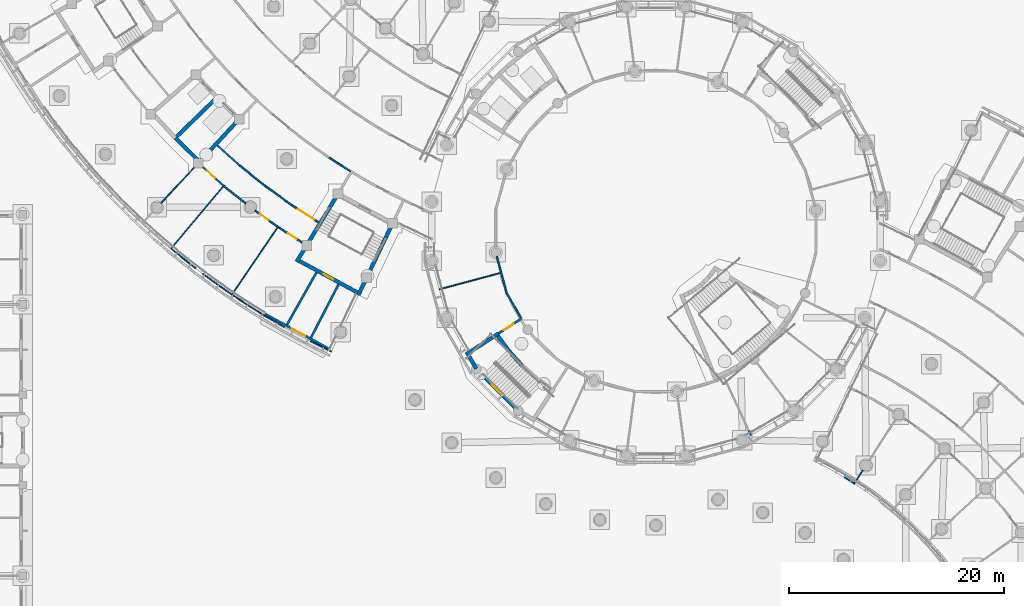
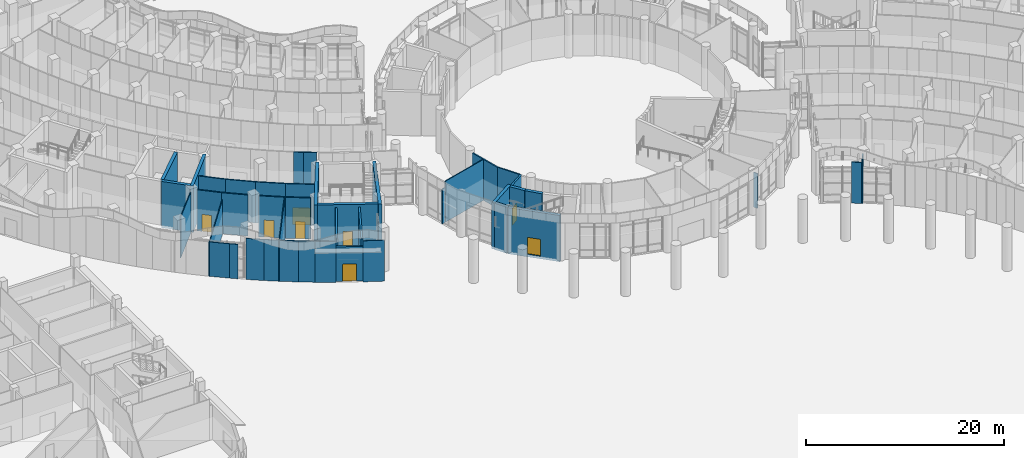
# One storey, part 60 of 146: 43 walls, 8 doors, 8 openings.
"""IFC4 building model written with IfcOpenShell, lengths in metres."""

from ifc_helpers import new_model, si_unit, direction, frame, frame_2d, origin, place, context, subcontext, project, spatial, rectangle, extrude, material, layer, layer_set, type_object, element, fill, save


model = new_model("IFC4")

# Units and contexts
model_context = context("Model", 3, precision=1e-05, world=origin(), true_north=direction((0.0, 1.0)))
body_context = subcontext(model_context, "Body", "Model", "MODEL_VIEW")
ifc_project = project(units=[si_unit("LENGTHUNIT", "METRE"), si_unit("AREAUNIT", "SQUARE_METRE"), si_unit("VOLUMEUNIT", "CUBIC_METRE"), si_unit("PLANEANGLEUNIT", "RADIAN"), si_unit("MASSUNIT", "GRAM", prefix="KILO")], contexts=[model_context])

# Site, building, storey
site_placement = place(None, origin())
site = spatial("IfcSite", under=ifc_project, at=site_placement, CompositionType="ELEMENT")
building_placement = place(site_placement, origin())
building = spatial("IfcBuilding", under=site, at=building_placement, Name="Bougainvillea Quay General Hospital", CompositionType="ELEMENT")
storey_placement = place(building_placement, origin())
storey = spatial("IfcBuildingStorey", under=building, at=storey_placement, Name="L00", CompositionType="ELEMENT", Elevation=0.0)

# Wall, opening, door
ifc_material_1 = material(Name="Insulated aluminium panel cladding, anodised silver", Category="aluminium")
ifc_layer_1 = layer(ifc_material_1, 0.199951171875)
ifc_layer_set_1 = layer_set([ifc_layer_1], Name="Insulated aluminium panel cladding, anodised silver")
wall_type_1 = type_object("IfcWallType", Name="Entrance portal wall 200", PredefinedType="STANDARD", material=ifc_layer_set_1)
wall_1_placement = place(storey_placement, frame((78.818115234375, 63.10400390625, 0.0), z_axis=(0.0, 0.0, 1.0), x_axis=(-0.878478295557, 0.47778225609, 0.0)))
wall_1 = element("IfcWall", 1, at=wall_1_placement, inside=storey, type_object=wall_type_1, Name="External wall wall/V6/L00/p0g1b0/00a", PredefinedType="STANDARD", context=body_context, shape_type="SweptSolid", body=[
    extrude(rectangle(XDim=6.7333984375, YDim=0.199951171875, at=frame_2d((3.36669921875, 0.0))), origin(), (0.0, 0.0, 1.0), 4.25),
])
opening_1_placement = place(wall_1_placement, frame((2.49609375, 0.0, 0.0)))
opening_1 = element("IfcOpeningElement", 2, at=opening_1_placement, cuts=wall_1, Name="Opening L00.347", PredefinedType="OPENING", context=body_context, shape_type="SweptSolid", body=[
    extrude(rectangle(XDim=1.39990234375, YDim=2.10009765625, at=frame_2d((0.699951171875, 1.050048828125))), frame((0.0, 0.10986328125, 0.0), z_axis=(0.0, -1.0, 0.0), x_axis=(1.0, 0.0, 0.0)), (0.0, 0.0, 1.0), 0.219970703125),
])
ifc_material_2 = material(Name="Steel door leaf, painted, with vision panel", Category="steel")
door_type_1 = type_object("IfcDoorType", Name="Stair discharge door 1400x2100", OperationType="SINGLE_SWING_LEFT", PredefinedType="DOOR", material=ifc_material_2)
door_1_placement = place(opening_1_placement, origin())
door_1 = element("IfcDoor", 3, at=door_1_placement, inside=storey, type_object=door_type_1, Name="Stair discharge door ST-W1", OperationType="SINGLE_SWING_LEFT", OverallHeight=2.10009765625, OverallWidth=1.39990234375, PredefinedType="DOOR", context=body_context, shape_type="SweptSolid", body=[
    extrude(rectangle(XDim=1.39990234375, YDim=2.10009765625, at=frame_2d((0.699951171875, 1.050048828125))), frame((0.0, 0.02490234375, 0.0), z_axis=(0.0, -1.0, 0.0), x_axis=(1.0, 0.0, 0.0)), (0.0, 0.0, 1.0), 0.050048828125),
])
fill(opening_1, door_1)

# Walls
ifc_material_3 = material(Name="Gypsum board partition on steel studs", Category="steel")
ifc_layer_2 = layer(ifc_material_3, 0.10009765625)
ifc_layer_set_2 = layer_set([ifc_layer_2], Name="Gypsum board partition on steel studs")
wall_type_2 = type_object("IfcWallType", Name="Partition 100 Gypsum board partition", PredefinedType="PARTITIONING", material=ifc_layer_set_2)
wall_2_placement = place(storey_placement, frame((117.839599609375, 55.471923828125, 0.0), z_axis=(0.0, 0.0, 1.0), x_axis=(0.422386547232, -0.906415801229, 0.0)))
element("IfcWall", 4, at=wall_2_placement, inside=storey, type_object=wall_type_2, Name="Partition 100 mm", PredefinedType="PARTITIONING", context=body_context, shape_type="SweptSolid", body=[
    extrude(rectangle(XDim=0.45556640625, YDim=0.10009765625, at=frame_2d((0.227783203125, 0.0))), origin(), (0.0, 0.0, 1.0), 4.280029296875),
])
wall_3_placement = place(storey_placement, frame((89.090087890625, 68.611083984375, 0.0), z_axis=(0.0, 0.0, 1.0), x_axis=(0.966018295609, 0.258473697982, 0.0)))
element("IfcWall", 5, at=wall_3_placement, inside=storey, type_object=wall_type_2, Name="Partition 100 mm", PredefinedType="PARTITIONING", context=body_context, shape_type="SweptSolid", body=[
    extrude(rectangle(XDim=0.44970703125, YDim=0.10009765625, at=frame_2d((0.224853515625, 0.0))), origin(), (0.0, 0.0, 1.0), 4.280029296875),
])
wall_4_placement = place(storey_placement, frame((89.5244140625, 68.727294921875, 0.0), z_axis=(0.0, 0.0, 1.0), x_axis=(0.965884896142, 0.258971750206, 0.0)))
element("IfcWall", 6, at=wall_4_placement, inside=storey, type_object=wall_type_2, Name="Partition 100 mm", PredefinedType="PARTITIONING", context=body_context, shape_type="SweptSolid", body=[
    extrude(rectangle(XDim=5.419677734375, YDim=0.10009765625, at=frame_2d((2.7099609375, 0.0))), origin(), (0.0, 0.0, 1.0), 5.050048828125),
])
ifc_layer_3 = layer(ifc_material_3, 0.10009765625)
ifc_layer_set_3 = layer_set([ifc_layer_3], Name="Gypsum board partition on steel studs")
wall_type_3 = type_object("IfcWallType", Name="Partition 100 Gypsum board partition EI 30", PredefinedType="PARTITIONING", material=ifc_layer_set_3)
wall_5_placement = place(storey_placement, frame((63.244140625, 76.607421875, 0.0), z_axis=(0.0, 0.0, 1.0), x_axis=(0.681263193371, 0.732038565485, 0.0)))
element("IfcWall", 7, at=wall_5_placement, inside=storey, type_object=wall_type_3, Name="Partition 100 mm EI 30", PredefinedType="PARTITIONING", context=body_context, shape_type="SweptSolid", body=[
    extrude(rectangle(XDim=4.529296875, YDim=0.10009765625, at=frame_2d((2.2646484375, 0.0))), origin(), (0.0, 0.0, 1.0), 5.050048828125),
])
wall_6_placement = place(storey_placement, frame((127.596923828125, 50.532958984375, 0.0), z_axis=(0.0, 0.0, 1.0), x_axis=(0.541741092646, 0.840545411348, 0.0)))
element("IfcWall", 8, at=wall_6_placement, inside=storey, type_object=wall_type_3, Name="Partition 100 mm EI 30", PredefinedType="PARTITIONING", context=body_context, shape_type="SweptSolid", body=[
    extrude(rectangle(XDim=1.542724609375, YDim=0.10009765625, at=frame_2d((0.771484375, 0.0))), origin(), (0.0, 0.0, 1.0), 5.050048828125),
])
wall_7_placement = place(storey_placement, frame((69.809814453125, 68.07861328125, 0.0), z_axis=(0.0, 0.0, 1.0), x_axis=(0.562401761837, 0.826864111135, 0.0)))
element("IfcWall", 9, at=wall_7_placement, inside=storey, type_object=wall_type_3, Name="Partition 100 mm EI 30", PredefinedType="PARTITIONING", context=body_context, shape_type="SweptSolid", body=[
    extrude(rectangle(XDim=7.56982421875, YDim=0.10009765625, at=frame_2d((3.784912109375, 0.0))), origin(), (0.0, 0.0, 1.0), 5.050048828125),
])
wall_8_placement = place(storey_placement, frame((64.147705078125, 72.36572265625, 0.0), z_axis=(0.0, 0.0, 1.0), x_axis=(0.64315880068, 0.76573282358, 0.0)))
element("IfcWall", 10, at=wall_8_placement, inside=storey, type_object=wall_type_3, Name="Partition 100 mm EI 30", PredefinedType="PARTITIONING", context=body_context, shape_type="SweptSolid", body=[
    extrude(rectangle(XDim=7.56884765625, YDim=0.10009765625, at=frame_2d((3.784423828125, 0.0))), origin(), (0.0, 0.0, 1.0), 4.22998046875),
])
wall_9_placement = place(storey_placement, frame((77.117919921875, 63.79150390625, 0.0), z_axis=(0.0, 0.0, 1.0), x_axis=(0.894539387074, -0.446989132947, 0.0)))
element("IfcWall", 11, at=wall_9_placement, inside=storey, type_object=wall_type_3, Name="Partition 100 mm EI 30", PredefinedType="PARTITIONING", context=body_context, shape_type="SweptSolid", body=[
    extrude(rectangle(XDim=2.175537109375, YDim=0.10009765625, at=frame_2d((1.087890625, 0.0))), origin(), (0.0, 0.0, 1.0), 5.050048828125),
])
wall_10_placement = place(storey_placement, frame((72.868896484375, 66.167236328125, 0.0), z_axis=(0.0, 0.0, 1.0), x_axis=(0.863833238718, -0.503777863434, 0.0)))
element("IfcWall", 12, at=wall_10_placement, inside=storey, type_object=wall_type_3, Name="Partition 100 mm EI 30", PredefinedType="PARTITIONING", context=body_context, shape_type="SweptSolid", body=[
    extrude(rectangle(XDim=2.1181640625, YDim=0.10009765625, at=frame_2d((1.05908203125, 0.0))), origin(), (0.0, 0.0, 1.0), 5.050048828125),
])
wall_11_placement = place(storey_placement, frame((64.21923828125, 72.371826171875, 0.0), z_axis=(0.0, 0.0, 1.0), x_axis=(0.774189909743, -0.632953381895, 0.0)))
element("IfcWall", 13, at=wall_11_placement, inside=storey, type_object=wall_type_3, Name="Partition 100 mm EI 30", PredefinedType="PARTITIONING", context=body_context, shape_type="SweptSolid", body=[
    extrude(rectangle(XDim=2.01025390625, YDim=0.10009765625, at=frame_2d((1.005126953125, 0.0))), origin(), (0.0, 0.0, 1.0), 4.22998046875),
])
wall_12_placement = place(storey_placement, frame((69.880126953125, 68.092041015625, 0.0), z_axis=(0.0, 0.0, 1.0), x_axis=(0.833740627747, -0.552156287336, 0.0)))
element("IfcWall", 14, at=wall_12_placement, inside=storey, type_object=wall_type_3, Name="Partition 100 mm EI 30", PredefinedType="PARTITIONING", context=body_context, shape_type="SweptSolid", body=[
    extrude(rectangle(XDim=1.906494140625, YDim=0.10009765625, at=frame_2d((0.953125, 0.0))), origin(), (0.0, 0.0, 1.0), 5.050048828125),
])
wall_13_placement = place(storey_placement, frame((67.12109375, 70.06201171875, 0.0), z_axis=(0.0, 0.0, 1.0), x_axis=(0.806530077536, -0.591193059863, 0.0)))
element("IfcWall", 15, at=wall_13_placement, inside=storey, type_object=wall_type_3, Name="Partition 100 mm EI 30", PredefinedType="PARTITIONING", context=body_context, shape_type="SweptSolid", body=[
    extrude(rectangle(XDim=1.79931640625, YDim=0.10009765625, at=frame_2d((0.899658203125, 0.0))), origin(), (0.0, 0.0, 1.0), 5.050048828125),
])
wall_14_placement = place(storey_placement, frame((71.46923828125, 67.041259765625, 0.0), z_axis=(0.0, 0.0, 1.0), x_axis=(0.848670313299, -0.528922205362, 0.0)))
element("IfcWall", 16, at=wall_14_placement, inside=storey, type_object=wall_type_3, Name="Partition 100 mm EI 30", PredefinedType="PARTITIONING", context=body_context, shape_type="SweptSolid", body=[
    extrude(rectangle(XDim=1.651611328125, YDim=0.10009765625, at=frame_2d((0.82568359375, 0.0))), origin(), (0.0, 0.0, 1.0), 5.050048828125),
])
wall_15_placement = place(storey_placement, frame((68.572021484375, 69.0, 0.0), z_axis=(0.0, 0.0, 1.0), x_axis=(0.821035318981, -0.57087739926, 0.0)))
element("IfcWall", 17, at=wall_15_placement, inside=storey, type_object=wall_type_3, Name="Partition 100 mm EI 30", PredefinedType="PARTITIONING", context=body_context, shape_type="SweptSolid", body=[
    extrude(rectangle(XDim=1.4912109375, YDim=0.10009765625, at=frame_2d((0.74560546875, 0.0))), origin(), (0.0, 0.0, 1.0), 5.050048828125),
])
wall_16_placement = place(storey_placement, frame((126.702880859375, 51.14892578125, 0.0), z_axis=(0.0, 0.0, 1.0), x_axis=(0.848687049906, -0.528895350067, 0.0)))
element("IfcWall", 18, at=wall_16_placement, inside=storey, type_object=wall_type_3, Name="Partition 100 mm EI 30", PredefinedType="PARTITIONING", context=body_context, shape_type="SweptSolid", body=[
    extrude(rectangle(XDim=1.034423828125, YDim=0.10009765625, at=frame_2d((0.51708984375, 0.0))), origin(), (0.0, 0.0, 1.0), 5.050048828125),
])
wall_17_placement = place(storey_placement, frame((65.775390625, 71.10107421875, 0.0), z_axis=(0.0, 0.0, 1.0), x_axis=(0.78975449487, -0.613423049643, 0.0)))
element("IfcWall", 19, at=wall_17_placement, inside=storey, type_object=wall_type_3, Name="Partition 100 mm EI 30", PredefinedType="PARTITIONING", context=body_context, shape_type="SweptSolid", body=[
    extrude(rectangle(XDim=0.882080078125, YDim=0.10009765625, at=frame_2d((0.44091796875, 0.0))), origin(), (0.0, 0.0, 1.0), 4.22998046875),
])
ifc_material_4 = material(Name="Gypsum board partition on steel studs, insulated", Category="steel")
ifc_layer_4 = layer(ifc_material_4, 0.14990234375)
ifc_layer_set_4 = layer_set([ifc_layer_4], Name="Gypsum board partition on steel studs, insulated")
wall_type_4 = type_object("IfcWallType", Name="Partition 150 Gypsum board partition", PredefinedType="PARTITIONING", material=ifc_layer_set_4)
wall_18_placement = place(storey_placement, frame((94.4296875, 71.66259765625, 0.0), z_axis=(0.0, 0.0, 1.0), x_axis=(0.258946376506, -0.965891698947, 0.0)))
element("IfcWall", 20, at=wall_18_placement, inside=storey, type_object=wall_type_4, Name="Partition 150 mm", PredefinedType="PARTITIONING", context=body_context, shape_type="SweptSolid", body=[
    extrude(rectangle(XDim=3.597900390625, YDim=0.14990234375, at=frame_2d((1.798828125, 0.0))), origin(), (0.0, 0.0, 1.0), 5.050048828125),
])
wall_19_placement = place(storey_placement, frame((95.37109375, 68.209716796875, 0.0), z_axis=(0.0, 0.0, 1.0), x_axis=(0.500145277449, -0.865941511561, 0.0)))
element("IfcWall", 21, at=wall_19_placement, inside=storey, type_object=wall_type_4, Name="Partition 150 mm", PredefinedType="PARTITIONING", context=body_context, shape_type="SweptSolid", body=[
    extrude(rectangle(XDim=2.582275390625, YDim=0.14990234375, at=frame_2d((1.291015625, 0.0))), origin(), (0.0, 0.0, 1.0), 5.050048828125),
])

# Wall, opening, door
ifc_layer_5 = layer(ifc_material_4, 0.14990234375)
ifc_layer_set_5 = layer_set([ifc_layer_5], Name="Gypsum board partition on steel studs, insulated")
wall_type_5 = type_object("IfcWallType", Name="Partition 150 Gypsum board partition EI 30", PredefinedType="PARTITIONING", material=ifc_layer_set_5)
wall_20_placement = place(storey_placement, frame((71.98193359375, 75.928955078125, 0.0), z_axis=(0.0, 0.0, 1.0), x_axis=(0.812329236441, -0.583199118332, 0.0)))
wall_20 = element("IfcWall", 22, at=wall_20_placement, inside=storey, type_object=wall_type_5, Name="Partition 150 mm EI 30", PredefinedType="PARTITIONING", context=body_context, shape_type="SweptSolid", body=[
    extrude(rectangle(XDim=2.694580078125, YDim=0.14990234375, at=frame_2d((1.34716796875, 0.0))), origin(), (0.0, 0.0, 1.0), 5.050048828125),
])
opening_2_placement = place(wall_20_placement, frame((0.537353515625, 0.0, 0.0)))
opening_2 = element("IfcOpeningElement", 23, at=opening_2_placement, cuts=wall_20, Name="Opening L00.251", PredefinedType="OPENING", context=body_context, shape_type="SweptSolid", body=[
    extrude(rectangle(XDim=1.0, YDim=2.10009765625, at=frame_2d((0.5, 1.050048828125))), frame((0.0, 0.0849609375, 0.0), z_axis=(0.0, -1.0, 0.0), x_axis=(1.0, 0.0, 0.0)), (0.0, 0.0, 1.0), 0.169921875),
])
ifc_material_5 = material(Name="Solid-core timber door leaf in steel frame", Category="steel")
door_type_2 = type_object("IfcDoorType", Name="Single leaf door 1000x2100 FD30S", OperationType="NOTDEFINED", PredefinedType="DOOR", material=ifc_material_5)
door_2_placement = place(opening_2_placement, frame((1.0, 0.0, 0.0), z_axis=(0.0, 0.0, 1.0), x_axis=(-1.0, 0.0, 0.0)))
door_2 = element("IfcDoor", 24, at=door_2_placement, inside=storey, type_object=door_type_2, Name="DT15 L00.251", OperationType="SINGLE_SWING_RIGHT", OverallHeight=2.10009765625, OverallWidth=1.0, PredefinedType="DOOR", context=body_context, shape_type="SweptSolid", body=[
    extrude(rectangle(XDim=1.0, YDim=2.10009765625, at=frame_2d((0.5, 1.050048828125))), frame((0.0, 0.02490234375, 0.0), z_axis=(0.0, -1.0, 0.0), x_axis=(1.0, 0.0, 0.0)), (0.0, 0.0, 1.0), 0.050048828125),
])
fill(opening_2, door_2)

# Wall
wall_21_placement = place(storey_placement, frame((69.00634765625, 78.266845703125, 0.0), z_axis=(0.0, 0.0, 1.0), x_axis=(0.781841800916, -0.623476862715, 0.0)))
element("IfcWall", 25, at=wall_21_placement, inside=storey, type_object=wall_type_5, Name="Partition 150 mm EI 30", PredefinedType="PARTITIONING", context=body_context, shape_type="SweptSolid", body=[
    extrude(rectangle(XDim=2.690185546875, YDim=0.14990234375, at=frame_2d((1.34521484375, 0.0))), origin(), (0.0, 0.0, 1.0), 5.050048828125),
])

# Wall, opening, door
wall_22_placement = place(storey_placement, frame((74.169921875, 74.3623046875, 0.0), z_axis=(0.0, 0.0, 1.0), x_axis=(0.840928399131, -0.541146401203, 0.0)))
wall_22 = element("IfcWall", 26, at=wall_22_placement, inside=storey, type_object=wall_type_5, Name="Partition 150 mm EI 30", PredefinedType="PARTITIONING", context=body_context, shape_type="SweptSolid", body=[
    extrude(rectangle(XDim=2.5703125, YDim=0.14990234375, at=frame_2d((1.28515625, 0.0))), origin(), (0.0, 0.0, 1.0), 5.050048828125),
])
opening_3_placement = place(wall_22_placement, frame((1.01025390625, 0.0, 0.0)))
opening_3 = element("IfcOpeningElement", 27, at=opening_3_placement, cuts=wall_22, Name="Opening L00.250", PredefinedType="OPENING", context=body_context, shape_type="SweptSolid", body=[
    extrude(rectangle(XDim=1.0, YDim=2.10009765625, at=frame_2d((0.5, 1.050048828125))), frame((0.0, 0.0849609375, 0.0), z_axis=(0.0, -1.0, 0.0), x_axis=(1.0, 0.0, 0.0)), (0.0, 0.0, 1.0), 0.169921875),
])
door_3_placement = place(opening_3_placement, frame((1.0, 0.0, 0.0), z_axis=(0.0, 0.0, 1.0), x_axis=(-1.0, 0.0, 0.0)))
door_3 = element("IfcDoor", 28, at=door_3_placement, inside=storey, type_object=door_type_2, Name="DT15 L00.250", OperationType="SINGLE_SWING_LEFT", OverallHeight=2.10009765625, OverallWidth=1.0, PredefinedType="DOOR", context=body_context, shape_type="SweptSolid", body=[
    extrude(rectangle(XDim=1.0, YDim=2.10009765625, at=frame_2d((0.5, 1.050048828125))), frame((0.0, 0.02490234375, 0.0), z_axis=(0.0, -1.0, 0.0), x_axis=(1.0, 0.0, 0.0)), (0.0, 0.0, 1.0), 0.050048828125),
])
fill(opening_3, door_3)

wall_23_placement = place(storey_placement, frame((67.119873046875, 79.970703125, 0.0), z_axis=(0.0, 0.0, 1.0), x_axis=(0.743284610851, -0.668975326355, 0.0)))
wall_23 = element("IfcWall", 29, at=wall_23_placement, inside=storey, type_object=wall_type_5, Name="Partition 150 mm EI 30", PredefinedType="PARTITIONING", context=body_context, shape_type="SweptSolid", body=[
    extrude(rectangle(XDim=2.546142578125, YDim=0.14990234375, at=frame_2d((1.27294921875, 0.0))), origin(), (0.0, 0.0, 1.0), 5.050048828125),
])
opening_4_placement = place(wall_23_placement, frame((0.535400390625, 0.0, 0.0)))
opening_4 = element("IfcOpeningElement", 30, at=opening_4_placement, cuts=wall_23, Name="Opening L00.252", PredefinedType="OPENING", context=body_context, shape_type="SweptSolid", body=[
    extrude(rectangle(XDim=1.0, YDim=2.10009765625, at=frame_2d((0.5, 1.050048828125))), frame((0.0, 0.0849609375, 0.0), z_axis=(0.0, -1.0, 0.0), x_axis=(1.0, 0.0, 0.0)), (0.0, 0.0, 1.0), 0.169921875),
])
door_4_placement = place(opening_4_placement, frame((1.0, 0.0, 0.0), z_axis=(0.0, 0.0, 1.0), x_axis=(-1.0, 0.0, 0.0)))
door_4 = element("IfcDoor", 31, at=door_4_placement, inside=storey, type_object=door_type_2, Name="DT15 L00.252", OperationType="SINGLE_SWING_RIGHT", OverallHeight=2.10009765625, OverallWidth=1.0, PredefinedType="DOOR", context=body_context, shape_type="SweptSolid", body=[
    extrude(rectangle(XDim=1.0, YDim=2.10009765625, at=frame_2d((0.5, 1.050048828125))), frame((0.0, 0.02490234375, 0.0), z_axis=(0.0, -1.0, 0.0), x_axis=(1.0, 0.0, 0.0)), (0.0, 0.0, 1.0), 0.050048828125),
])
fill(opening_4, door_4)

wall_24_placement = place(storey_placement, frame((75.39599609375, 76.426513671875, 0.0), z_axis=(0.0, 0.0, 1.0), x_axis=(0.840919451001, -0.541160306128, 0.0)))
wall_24 = element("IfcWall", 32, at=wall_24_placement, inside=storey, type_object=wall_type_5, Name="Partition 150 mm EI 30", PredefinedType="PARTITIONING", context=body_context, shape_type="SweptSolid", body=[
    extrude(rectangle(XDim=2.94091796875, YDim=0.14990234375, at=frame_2d((1.470458984375, 0.0))), origin(), (0.0, 0.0, 1.0), 5.050048828125),
])
opening_5_placement = place(wall_24_placement, frame((0.696533203125, 0.0, 0.0)))
opening_5 = element("IfcOpeningElement", 33, at=opening_5_placement, cuts=wall_24, Name="Opening L00.217", PredefinedType="OPENING", context=body_context, shape_type="SweptSolid", body=[
    extrude(rectangle(XDim=1.800048828125, YDim=2.10009765625, at=frame_2d((0.89990234375, 1.050048828125))), frame((0.0, 0.0849609375, 0.0), z_axis=(0.0, -1.0, 0.0), x_axis=(1.0, 0.0, 0.0)), (0.0, 0.0, 1.0), 0.169921875),
])
ifc_material_6 = material(Name="Solid-core timber door leaves in steel frame", Category="steel")
door_type_3 = type_object("IfcDoorType", Name="Double leaf door 1800x2100", OperationType="DOUBLE_DOOR_SINGLE_SWING", PredefinedType="DOOR", material=ifc_material_6)
door_5_placement = place(opening_5_placement, frame((1.800048828125, 0.0, 0.0), z_axis=(0.0, 0.0, 1.0), x_axis=(-1.0, 0.0, 0.0)))
door_5 = element("IfcDoor", 34, at=door_5_placement, inside=storey, type_object=door_type_3, Name="DT08 L00.217", OperationType="DOUBLE_DOOR_SINGLE_SWING", OverallHeight=2.10009765625, OverallWidth=1.800048828125, PredefinedType="DOOR", context=body_context, shape_type="SweptSolid", body=[
    extrude(rectangle(XDim=1.800048828125, YDim=2.10009765625, at=frame_2d((0.89990234375, 1.050048828125))), frame((0.0, 0.02490234375, 0.0), z_axis=(0.0, -1.0, 0.0), x_axis=(1.0, 0.0, 0.0)), (0.0, 0.0, 1.0), 0.050048828125),
])
fill(opening_5, door_5)

# Walls
for number, where, z_axis, x_axis, name in (
    (35, (72.926025390625, 78.20361328125, 0.0), (0.0, 0.0, 1.0), (0.812431785264, -0.583056253112, 0.0), "Partition 150 mm EI 30"),
    (36, (70.55029296875, 80.104736328125, 0.0), (0.0, 0.0, 1.0), (0.781595469587, -0.623785637797, 0.0), "Partition 150 mm EI 30"),
):
    element("IfcWall", number, at=place(storey_placement, frame(where, z_axis=z_axis, x_axis=x_axis)), inside=storey, type_object=wall_type_5, Name=name, PredefinedType="PARTITIONING", context=body_context, shape_type="SweptSolid", body=[
        extrude(rectangle(XDim=3.046142578125, YDim=0.14990234375, at=frame_2d((1.52294921875, 0.0))), origin(), (0.0, 0.0, 1.0), 5.050048828125),
    ])
wall_25_placement = place(storey_placement, frame((68.478271484375, 81.97412109375, 0.0), z_axis=(0.0, 0.0, 1.0), x_axis=(0.743546016741, -0.66868476952, 0.0)))
element("IfcWall", 37, at=wall_25_placement, inside=storey, type_object=wall_type_5, Name="Partition 150 mm EI 30", PredefinedType="PARTITIONING", context=body_context, shape_type="SweptSolid", body=[
    extrude(rectangle(XDim=2.794921875, YDim=0.14990234375, at=frame_2d((1.3974609375, 0.0))), origin(), (0.0, 0.0, 1.0), 5.050048828125),
])
wall_26_placement = place(storey_placement, frame((79.6953125, 80.294921875, 0.0), z_axis=(0.0, 0.0, 1.0), x_axis=(0.847541618724, -0.530728936964, 0.0)))
element("IfcWall", 38, at=wall_26_placement, inside=storey, type_object=wall_type_5, Name="Partition 150 mm EI 30", PredefinedType="PARTITIONING", context=body_context, shape_type="SweptSolid", body=[
    extrude(rectangle(XDim=1.3525390625, YDim=0.14990234375, at=frame_2d((0.67626953125, 0.0))), origin(), (0.0, 0.0, 1.0), 5.050048828125),
])
wall_27_placement = place(storey_placement, frame((78.877197265625, 80.835693359375, 0.0), z_axis=(0.0, 0.0, 1.0), x_axis=(0.835209839134, -0.549931381733, 0.0)))
element("IfcWall", 39, at=wall_27_placement, inside=storey, type_object=wall_type_5, Name="Partition 150 mm EI 30", PredefinedType="PARTITIONING", context=body_context, shape_type="SweptSolid", body=[
    extrude(rectangle(XDim=0.982421875, YDim=0.14990234375, at=frame_2d((0.4912109375, 0.0))), origin(), (0.0, 0.0, 1.0), 5.050048828125),
])
ifc_material_7 = material(Name="Fire-rated autoclaved aerated block wall, plastered")
ifc_layer_6 = layer(ifc_material_7, 0.199951171875)
ifc_layer_set_6 = layer_set([ifc_layer_6], Name="Fire-rated autoclaved aerated block wall, plastered")
wall_type_6 = type_object("IfcWallType", Name="Partition 200 Fire-rated autoclaved aerated block wall EI 120", PredefinedType="SOLIDWALL", material=ifc_layer_set_6)
wall_28_placement = place(storey_placement, frame((77.17138671875, 64.11572265625, 0.0), z_axis=(0.0, 0.0, 1.0), x_axis=(0.45969087643, 0.88807899318, 0.0)))
element("IfcWall", 40, at=wall_28_placement, inside=storey, type_object=wall_type_6, Name="Partition 200 mm EI 120", PredefinedType="SOLIDWALL", context=body_context, shape_type="SweptSolid", body=[
    extrude(rectangle(XDim=5.576416015625, YDim=0.199951171875, at=frame_2d((2.7880859375, 0.0))), origin(), (0.0, 0.0, 1.0), 5.050048828125),
])

# Wall, opening, door
wall_29_placement = place(storey_placement, frame((94.585693359375, 64.50927734375, 0.0), z_axis=(0.0, 0.0, 1.0), x_axis=(0.838726213853, 0.544553338247, 0.0)))
wall_29 = element("IfcWall", 41, at=wall_29_placement, inside=storey, type_object=wall_type_6, Name="Partition 200 mm EI 120", PredefinedType="SOLIDWALL", context=body_context, shape_type="SweptSolid", body=[
    extrude(rectangle(XDim=2.525390625, YDim=0.199951171875, at=frame_2d((1.2626953125, 0.0))), origin(), (0.0, 0.0, 1.0), 5.050048828125),
])
opening_6_placement = place(wall_29_placement, frame((0.5751953125, 0.0, 0.0)))
opening_6 = element("IfcOpeningElement", 42, at=opening_6_placement, cuts=wall_29, Name="Opening L00.315", PredefinedType="OPENING", context=body_context, shape_type="SweptSolid", body=[
    extrude(rectangle(XDim=1.10009765625, YDim=2.10009765625, at=frame_2d((0.550048828125, 1.050048828125))), frame((0.0, 0.10986328125, 0.0), z_axis=(0.0, -1.0, 0.0), x_axis=(1.0, 0.0, 0.0)), (0.0, 0.0, 1.0), 0.219970703125),
])
door_type_4 = type_object("IfcDoorType", Name="Single leaf door 1100x2100 FD60", OperationType="NOTDEFINED", PredefinedType="DOOR", material=ifc_material_5)
door_6_placement = place(opening_6_placement, frame((1.10009765625, 0.0, 0.0), z_axis=(0.0, 0.0, 1.0), x_axis=(-1.0, 0.0, 0.0)))
door_6 = element("IfcDoor", 43, at=door_6_placement, inside=storey, type_object=door_type_4, Name="DT19 L00.315", OperationType="SINGLE_SWING_RIGHT", OverallHeight=2.10009765625, OverallWidth=1.10009765625, PredefinedType="DOOR", context=body_context, shape_type="SweptSolid", body=[
    extrude(rectangle(XDim=1.10009765625, YDim=2.10009765625, at=frame_2d((0.550048828125, 1.050048828125))), frame((0.0, 0.02490234375, 0.0), z_axis=(0.0, -1.0, 0.0), x_axis=(1.0, 0.0, 0.0)), (0.0, 0.0, 1.0), 0.050048828125),
])
fill(opening_6, door_6)

# Walls
ifc_layer_7 = layer(ifc_material_7, 0.199951171875)
ifc_layer_set_7 = layer_set([ifc_layer_7], Name="Fire-rated autoclaved aerated block wall, plastered")
wall_type_7 = type_object("IfcWallType", Name="Partition 200 Fire-rated autoclaved aerated block wall EI 30", PredefinedType="SOLIDWALL", material=ifc_layer_set_7)
wall_30_placement = place(storey_placement, frame((74.945068359375, 65.325927734375, 0.0), z_axis=(0.0, 0.0, 1.0), x_axis=(0.491644215393, 0.870796167579, 0.0)))
element("IfcWall", 44, at=wall_30_placement, inside=storey, type_object=wall_type_7, Name="Partition 200 mm EI 30", PredefinedType="SOLIDWALL", context=body_context, shape_type="SweptSolid", body=[
    extrude(rectangle(XDim=5.571044921875, YDim=0.199951171875, at=frame_2d((2.78564453125, 0.0))), origin(), (0.0, 0.0, 1.0), 5.050048828125),
])
ifc_material_8 = material(Name="Concrete C40", Category="concrete")
ifc_layer_8 = layer(ifc_material_8, 0.35009765625)
ifc_layer_set_8 = layer_set([ifc_layer_8], Name="Concrete C40")
wall_type_8 = type_object("IfcWallType", Name="RC SHEAR WALL 350 C40", PredefinedType="SHEAR", material=ifc_layer_set_8)
wall_31_placement = place(storey_placement, frame((64.5791015625, 82.665771484375, -0.300048828125), z_axis=(0.0, 0.0, 1.0), x_axis=(0.714695816666, -0.699435407769, 0.0)))
element("IfcWall", 45, at=wall_31_placement, inside=storey, type_object=wall_type_8, Name="Shear wall L00", PredefinedType="SHEAR", context=body_context, shape_type="SweptSolid", body=[
    extrude(rectangle(XDim=2.9755859375, YDim=0.35009765625, at=frame_2d((1.48779296875, 0.0))), origin(), (0.0, 0.0, 1.0), 5.699951171875),
])
wall_32_placement = place(storey_placement, frame((64.70166015625, 82.791015625, -0.300048828125), z_axis=(0.0, 0.0, 1.0), x_axis=(0.717400873641, 0.696660596345, 0.0)))
element("IfcWall", 46, at=wall_32_placement, inside=storey, type_object=wall_type_8, Name="Shear wall L00", PredefinedType="SHEAR", context=body_context, shape_type="SweptSolid", body=[
    extrude(rectangle(XDim=5.0498046875, YDim=0.35009765625, at=frame_2d((2.52490234375, 0.0))), origin(), (0.0, 0.0, 1.0), 5.699951171875),
])
wall_33_placement = place(storey_placement, frame((66.7119140625, 80.333984375, -0.300048828125), z_axis=(0.0, 0.0, 1.0), x_axis=(0.681084356202, 0.732204957465, 0.0)))
element("IfcWall", 47, at=wall_33_placement, inside=storey, type_object=wall_type_8, Name="Shear wall L00", PredefinedType="SHEAR", context=body_context, shape_type="SweptSolid", body=[
    extrude(rectangle(XDim=5.75, YDim=0.35009765625, at=frame_2d((2.875, 0.0))), origin(), (0.0, 0.0, 1.0), 5.699951171875),
])
wall_34_placement = place(storey_placement, frame((75.84814453125, 71.172607421875, -0.300048828125), z_axis=(0.0, 0.0, 1.0), x_axis=(0.51973149438, 0.854329663391, 0.0)))
element("IfcWall", 48, at=wall_34_placement, inside=storey, type_object=wall_type_8, Name="Shear wall L00", PredefinedType="SHEAR", context=body_context, shape_type="SweptSolid", body=[
    extrude(rectangle(XDim=7.5498046875, YDim=0.35009765625, at=frame_2d((3.77490234375, 0.0))), origin(), (0.0, 0.0, 1.0), 5.699951171875),
])

# Wall, opening, door
wall_35_placement = place(storey_placement, frame((81.4931640625, 68.318359375, -0.300048828125), z_axis=(0.0, 0.0, 1.0), x_axis=(-0.87961028102, 0.475695021546, 0.0)))
wall_35 = element("IfcWall", 49, at=wall_35_placement, inside=storey, type_object=wall_type_8, Name="Shear wall L00", PredefinedType="SHEAR", context=body_context, shape_type="SweptSolid", body=[
    extrude(rectangle(XDim=6.13916015625, YDim=0.35009765625, at=frame_2d((3.069580078125, 0.0))), origin(), (0.0, 0.0, 1.0), 5.699951171875),
])
opening_7_placement = place(wall_35_placement, frame((2.56982421875, 0.0, 0.300048828125)))
opening_7 = element("IfcOpeningElement", 50, at=opening_7_placement, cuts=wall_35, Name="Opening L00.243", PredefinedType="OPENING", context=body_context, shape_type="SweptSolid", body=[
    extrude(rectangle(XDim=1.0, YDim=2.10009765625, at=frame_2d((0.5, 1.050048828125))), frame((0.0, 0.18505859375, 0.0), z_axis=(0.0, -1.0, 0.0), x_axis=(1.0, 0.0, 0.0)), (0.0, 0.0, 1.0), 0.3701171875),
])
ifc_material_9 = material(Name="Steel fire door leaf in steel frame", Category="steel")
door_type_5 = type_object("IfcDoorType", Name="Steel single leaf door 1000x2100 FD60", OperationType="NOTDEFINED", PredefinedType="DOOR", material=ifc_material_9)
door_7_placement = place(opening_7_placement, origin())
door_7 = element("IfcDoor", 51, at=door_7_placement, inside=storey, type_object=door_type_5, Name="DT10 L00.243", OperationType="SINGLE_SWING_RIGHT", OverallHeight=2.10009765625, OverallWidth=1.0, PredefinedType="DOOR", context=body_context, shape_type="SweptSolid", body=[
    extrude(rectangle(XDim=1.0, YDim=2.10009765625, at=frame_2d((0.5, 1.050048828125))), frame((0.0, 0.02490234375, 0.0), z_axis=(0.0, -1.0, 0.0), x_axis=(1.0, 0.0, 0.0)), (0.0, 0.0, 1.0), 0.050048828125),
])
fill(opening_7, door_7)

# Walls
wall_36_placement = place(storey_placement, frame((81.571533203125, 68.0771484375, -0.300048828125), z_axis=(0.0, 0.0, 1.0), x_axis=(0.430592498036, 0.90254645345, 0.0)))
element("IfcWall", 52, at=wall_36_placement, inside=storey, type_object=wall_type_8, Name="Shear wall L00", PredefinedType="SHEAR", context=body_context, shape_type="SweptSolid", body=[
    extrude(rectangle(XDim=7.549560546875, YDim=0.35009765625, at=frame_2d((3.77490234375, 0.0))), origin(), (0.0, 0.0, 1.0), 5.699951171875),
])
wall_37_placement = place(storey_placement, frame((91.568115234375, 62.5498046875, -0.300048828125), z_axis=(0.0, 0.0, 1.0), x_axis=(0.838691576971, 0.544606682587, 0.0)))
element("IfcWall", 53, at=wall_37_placement, inside=storey, type_object=wall_type_8, Name="Shear wall L00", PredefinedType="SHEAR", context=body_context, shape_type="SweptSolid", body=[
    extrude(rectangle(XDim=3.597900390625, YDim=0.35009765625, at=frame_2d((1.798828125, 0.0))), origin(), (0.0, 0.0, 1.0), 5.699951171875),
])
wall_38_placement = place(storey_placement, frame((91.802490234375, 62.493408203125, -0.300048828125), z_axis=(0.0, 0.0, 1.0), x_axis=(0.500008670696, -0.866020397698, 0.0)))
element("IfcWall", 54, at=wall_38_placement, inside=storey, type_object=wall_type_8, Name="Shear wall L00", PredefinedType="SHEAR", context=body_context, shape_type="SweptSolid", body=[
    extrude(rectangle(XDim=1.4521484375, YDim=0.35009765625, at=frame_2d((0.72607421875, 0.0))), origin(), (0.0, 0.0, 1.0), 5.699951171875),
])

# Wall, opening, door
wall_39_placement = place(storey_placement, frame((92.556396484375, 61.19970703125, -0.300048828125), z_axis=(0.0, 0.0, 1.0), x_axis=(0.707084322301, -0.707129239359, 0.0)))
wall_39 = element("IfcWall", 55, at=wall_39_placement, inside=storey, type_object=wall_type_8, Name="Shear wall L00", PredefinedType="SHEAR", context=body_context, shape_type="SweptSolid", body=[
    extrude(rectangle(XDim=5.435302734375, YDim=0.35009765625, at=frame_2d((2.7177734375, 0.0))), origin(), (0.0, 0.0, 1.0), 5.699951171875),
])
opening_8_placement = place(wall_39_placement, frame((2.01806640625, 0.0, 0.300048828125)))
opening_8 = element("IfcOpeningElement", 56, at=opening_8_placement, cuts=wall_39, Name="Opening L00.352", PredefinedType="OPENING", context=body_context, shape_type="SweptSolid", body=[
    extrude(rectangle(XDim=1.39990234375, YDim=2.10009765625, at=frame_2d((0.699951171875, 1.050048828125))), frame((0.0, 0.18505859375, 0.0), z_axis=(0.0, -1.0, 0.0), x_axis=(1.0, 0.0, 0.0)), (0.0, 0.0, 1.0), 0.3701171875),
])
door_8_placement = place(opening_8_placement, frame((1.39990234375, 0.0, 0.0), z_axis=(0.0, 0.0, 1.0), x_axis=(-1.0, 0.0, 0.0)))
door_8 = element("IfcDoor", 57, at=door_8_placement, inside=storey, type_object=door_type_1, Name="Stair discharge door ST-H2", OperationType="SINGLE_SWING_LEFT", OverallHeight=2.10009765625, OverallWidth=1.39990234375, PredefinedType="DOOR", context=body_context, shape_type="SweptSolid", body=[
    extrude(rectangle(XDim=1.39990234375, YDim=2.10009765625, at=frame_2d((0.699951171875, 1.050048828125))), frame((0.0, 0.02490234375, 0.0), z_axis=(0.0, -1.0, 0.0), x_axis=(1.0, 0.0, 0.0)), (0.0, 0.0, 1.0), 0.050048828125),
])
fill(opening_8, door_8)

# Walls
wall_40_placement = place(storey_placement, frame((95.5166015625, 62.931396484375, -0.300048828125), z_axis=(0.0, 0.0, 1.0), x_axis=(-0.587891456294, 0.808939822, 0.0)))
element("IfcWall", 58, at=wall_40_placement, inside=storey, type_object=wall_type_8, Name="Shear wall L00", PredefinedType="SHEAR", context=body_context, shape_type="SweptSolid", body=[
    extrude(rectangle(XDim=1.65771484375, YDim=0.35009765625, at=frame_2d((0.828857421875, 0.0))), origin(), (0.0, 0.0, 1.0), 5.699951171875),
])
wall_41_placement = place(storey_placement, frame((96.748779296875, 61.561767578125, -0.300048828125), z_axis=(0.0, 0.0, 1.0), x_axis=(-0.669201321397, 0.743081147279, 0.0)))
element("IfcWall", 59, at=wall_41_placement, inside=storey, type_object=wall_type_8, Name="Shear wall L00", PredefinedType="SHEAR", context=body_context, shape_type="SweptSolid", body=[
    extrude(rectangle(XDim=1.82421875, YDim=0.35009765625, at=frame_2d((0.912109375, 0.0))), origin(), (0.0, 0.0, 1.0), 5.699951171875),
])

save(model, "model.ifc")
